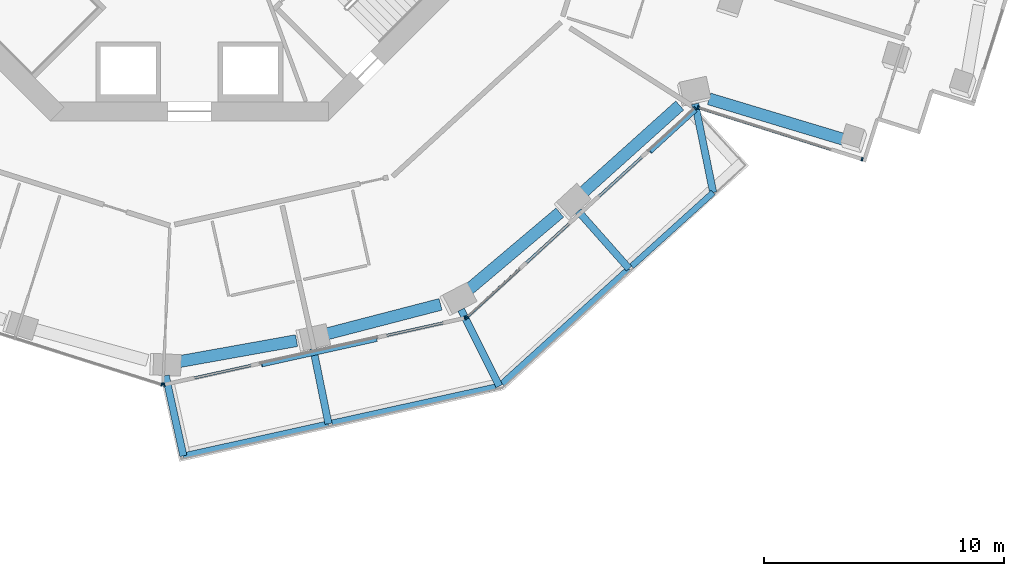
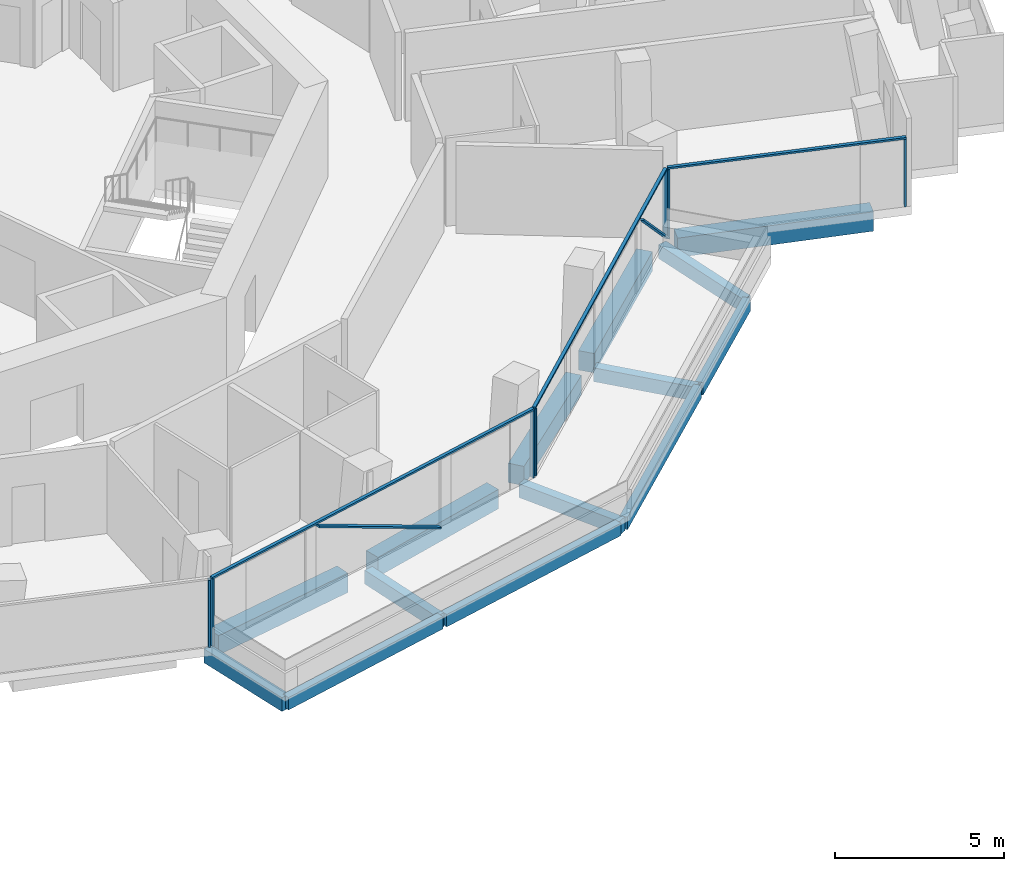
# One storey, part 5 of 24: 14 beams, 12 members, 4 elements without a shape of their own.
"""IFC4 building model written with IfcOpenShell, lengths in metres."""

from ifc_helpers import new_model, si_unit, direction, frame, origin, origin_2d, place, context, subcontext, project, spatial, rectangle, extrude, material, layer, layer_set, material_profile, profile_set, type_object, element, aggregate, save


model = new_model("IFC4")

# Units and contexts
model_context = context("Model", 3, precision=1e-05, world=origin(), true_north=direction((0.0, 1.0)))
body_context = subcontext(model_context, "Body", "Model", "MODEL_VIEW")
ifc_project = project(units=[si_unit("LENGTHUNIT", "METRE"), si_unit("AREAUNIT", "SQUARE_METRE"), si_unit("VOLUMEUNIT", "CUBIC_METRE"), si_unit("PLANEANGLEUNIT", "RADIAN"), si_unit("MASSUNIT", "GRAM", prefix="KILO")], contexts=[model_context])

# Site, building, storey
site_placement = place(None, origin())
site = spatial("IfcSite", under=ifc_project, at=site_placement, CompositionType="ELEMENT")
building_placement = place(site_placement, origin())
building = spatial("IfcBuilding", under=site, at=building_placement, Name="Verdalira Terraces Hotel", CompositionType="ELEMENT")
storey_placement = place(building_placement, frame((0.0, 0.0, 86.0)))
storey = spatial("IfcBuildingStorey", under=building, at=storey_placement, Name="L19", CompositionType="ELEMENT", Elevation=86.0)

# Beams
ifc_material_1 = material(Name="Concrete C40", Category="concrete")
ifc_material_profile_1 = material_profile(ifc_material_1, rectangle(XDim=0.300049, YDim=0.5, at=origin_2d()), Name="RC 300X500")
ifc_profile_set_1 = profile_set([ifc_material_profile_1], Name="Concrete C40")
beam_type_1 = type_object("IfcBeamType", Name="Balcony cantilever beam RC 300X500 C40", PredefinedType="BEAM", material=ifc_profile_set_1)
beam_1_placement = place(storey_placement, frame((-0.987793, -24.625, -0.560059), z_axis=(0.216176465, -0.976354309, 0.0), x_axis=(0.976354309, 0.216176465, 0.0)))
element("IfcBeam", 1, at=beam_1_placement, inside=storey, type_object=beam_type_1, Name="Balcony cantilever beam R26-1", PredefinedType="BEAM", context=body_context, shape_type="SweptSolid", body=[
    extrude(rectangle(XDim=0.300049, YDim=0.5, at=origin_2d()), origin(), (0.0, 0.0, 1.0), 3.428711),
])
beam_2_placement = place(storey_placement, frame((5.16748, -23.496582, -0.560059), z_axis=(0.199767229, -0.979843383, 0.0), x_axis=(0.979843383, 0.199767229, 0.0)))
element("IfcBeam", 2, at=beam_2_placement, inside=storey, type_object=beam_type_1, Name="Balcony cantilever beam R26-2", PredefinedType="BEAM", context=body_context, shape_type="SweptSolid", body=[
    extrude(rectangle(XDim=0.300049, YDim=0.5, at=origin_2d()), origin(), (0.0, 0.0, 1.0), 3.200684),
])
beam_3_placement = place(storey_placement, frame((11.342041, -21.877197, -0.560059), z_axis=(0.446527554, -0.894769883, 0.0), x_axis=(0.894769883, 0.446527554, 0.0)))
element("IfcBeam", 3, at=beam_3_placement, inside=storey, type_object=beam_type_1, Name="Balcony cantilever beam R26-3", PredefinedType="BEAM", context=body_context, shape_type="SweptSolid", body=[
    extrude(rectangle(XDim=0.300049, YDim=0.5, at=origin_2d()), origin(), (0.0, 0.0, 1.0), 3.559326),
])
beam_4_placement = place(storey_placement, frame((16.223633, -17.764893, -0.560059), z_axis=(0.662856919, -0.748746089, 0.0), x_axis=(0.748746089, 0.662856919, 0.0)))
element("IfcBeam", 4, at=beam_4_placement, inside=storey, type_object=beam_type_1, Name="Balcony cantilever beam R26-4", PredefinedType="BEAM", context=body_context, shape_type="SweptSolid", body=[
    extrude(rectangle(XDim=0.300049, YDim=0.5, at=origin_2d()), origin(), (0.0, 0.0, 1.0), 3.200684),
])
beam_5_placement = place(storey_placement, frame((21.102783, -13.287354, -0.560059), z_axis=(0.199735632, -0.979849824, 0.0), x_axis=(0.979849824, 0.199735632, 0.0)))
element("IfcBeam", 5, at=beam_5_placement, inside=storey, type_object=beam_type_1, Name="Balcony cantilever beam R26-5", PredefinedType="BEAM", context=body_context, shape_type="SweptSolid", body=[
    extrude(rectangle(XDim=0.300049, YDim=0.5, at=origin_2d()), origin(), (0.0, 0.0, 1.0), 3.773193),
])
ifc_material_2 = material(Name="Concrete C40", Category="concrete")
ifc_material_profile_2 = material_profile(ifc_material_2, rectangle(XDim=0.25, YDim=0.449951, at=origin_2d()), Name="RC 250X450")
ifc_profile_set_2 = profile_set([ifc_material_profile_2], Name="Concrete C40")
beam_type_2 = type_object("IfcBeamType", Name="Balcony edge beam RC 250X450 C40", PredefinedType="BEAM", material=ifc_profile_set_2)
beam_6_placement = place(storey_placement, frame((-0.246582, -27.972656, -0.534912), z_axis=(0.976370165, 0.216104838, 0.0), x_axis=(-0.216104838, 0.976370165, 0.0)))
element("IfcBeam", 6, at=beam_6_placement, inside=storey, type_object=beam_type_2, Name="Balcony edge beam R26-1", PredefinedType="BEAM", context=body_context, shape_type="SweptSolid", body=[
    extrude(rectangle(XDim=0.25, YDim=0.449951, at=origin_2d()), origin(), (0.0, 0.0, 1.0), 6.199951),
])
beam_7_placement = place(storey_placement, frame((5.953369, -26.600586, -0.534912), z_axis=(0.976540731, 0.215332766, 0.0), x_axis=(-0.215332766, 0.976540731, 0.0)))
element("IfcBeam", 7, at=beam_7_placement, inside=storey, type_object=beam_type_2, Name="Balcony edge beam R26-2", PredefinedType="BEAM", context=body_context, shape_type="SweptSolid", body=[
    extrude(rectangle(XDim=0.25, YDim=0.449951, at=origin_2d()), origin(), (0.0, 0.0, 1.0), 6.990967),
])
beam_8_placement = place(storey_placement, frame((13.046875, -24.95752, -0.534912), z_axis=(0.741368229, 0.671098464, 0.0), x_axis=(-0.671098464, 0.741368229, 0.0)))
element("IfcBeam", 8, at=beam_8_placement, inside=storey, type_object=beam_type_2, Name="Balcony edge beam R26-3", PredefinedType="BEAM", context=body_context, shape_type="SweptSolid", body=[
    extrude(rectangle(XDim=0.25, YDim=0.449951, at=origin_2d()), origin(), (0.0, 0.0, 1.0), 7.146729),
])
beam_9_placement = place(storey_placement, frame((18.456543, -20.060547, -0.534912), z_axis=(0.741554702, 0.670892409, 0.0), x_axis=(-0.670892409, 0.741554702, 0.0)))
element("IfcBeam", 9, at=beam_9_placement, inside=storey, type_object=beam_type_2, Name="Balcony edge beam R26-4", PredefinedType="BEAM", context=body_context, shape_type="SweptSolid", body=[
    extrude(rectangle(XDim=0.25, YDim=0.449951, at=origin_2d()), origin(), (0.0, 0.0, 1.0), 4.584717),
])

# Curtain wall, member
ifc_material_3 = material(Name="Clear glass", Category="glass")
ifc_layer_1 = layer(ifc_material_3, 0.14990234375)
ifc_layer_set_1 = layer_set([ifc_layer_1], Name="CW1 curtain wall")
curtain_wall_type_1 = type_object("IfcCurtainWallType", Name="CW1 curtain wall", PredefinedType="NOTDEFINED", material=ifc_layer_set_1)
curtain_wall_1_placement = place(storey_placement, origin())
curtain_wall_1 = element("IfcCurtainWall", 10, at=curtain_wall_1_placement, inside=storey, type_object=curtain_wall_type_1, Name="CW1 curtain wall L19 edge 25", PredefinedType="NOTDEFINED")
ifc_material_4 = material(Name="Terracotta frame", Category="masonry")
ifc_material_profile_3 = material_profile(ifc_material_4, rectangle(XDim=0.060059, YDim=0.149902, at=origin_2d()), Name="MU 60x150")
ifc_profile_set_3 = profile_set([ifc_material_profile_3], Name="Terracotta frame")
member_type_1 = type_object("IfcMemberType", Name="CW1 mullion 60x150", PredefinedType="MULLION", material=ifc_profile_set_3)
member_1_placement = place(storey_placement, frame((-1.148682, -24.99707, 0.0), z_axis=(0.0, 0.0, 1.0), x_axis=(0.953611927, -0.301038691, 0.0)))
member_1 = element("IfcMember", 11, at=member_1_placement, type_object=member_type_1, Name="CW1 mullion", PredefinedType="MULLION", context=body_context, shape_type="SweptSolid", body=[
    extrude(rectangle(XDim=0.060059, YDim=0.149902, at=origin_2d()), origin(), (0.0, 0.0, 1.0), 2.425049),
])
aggregate(curtain_wall_1, [member_1])

# Curtain wall, members
curtain_wall_2_placement = place(storey_placement, origin())
curtain_wall_2 = element("IfcCurtainWall", 12, at=curtain_wall_2_placement, inside=storey, type_object=curtain_wall_type_1, Name="CW1 curtain wall L19 edge 26", PredefinedType="NOTDEFINED")
member_2_placement = place(storey_placement, frame((-1.052002, -25.001465, 0.0), z_axis=(0.0, 0.0, 1.0), x_axis=(0.976371499, 0.216098809, 0.0)))
member_2 = element("IfcMember", 13, at=member_2_placement, type_object=member_type_1, Name="CW1 mullion", PredefinedType="MULLION", context=body_context, shape_type="SweptSolid", body=[
    extrude(rectangle(XDim=0.060059, YDim=0.149902, at=origin_2d()), origin(), (0.0, 0.0, 1.0), 2.425049),
])
member_3_placement = place(storey_placement, frame((11.503906, -22.222412, 0.0), z_axis=(0.0, 0.0, 1.0), x_axis=(0.976371499, 0.216098809, 0.0)))
member_3 = element("IfcMember", 14, at=member_3_placement, type_object=member_type_1, Name="CW1 mullion", PredefinedType="MULLION", context=body_context, shape_type="SweptSolid", body=[
    extrude(rectangle(XDim=0.060059, YDim=0.149902, at=origin_2d()), origin(), (0.0, 0.0, 1.0), 2.425049),
])

curtain_wall_3_placement = place(storey_placement, origin())
curtain_wall_3 = element("IfcCurtainWall", 15, at=curtain_wall_3_placement, inside=storey, type_object=curtain_wall_type_1, Name="CW1 curtain wall L19 edge 27", PredefinedType="NOTDEFINED")
member_4_placement = place(storey_placement, frame((11.589844, -22.177734, 0.0), z_axis=(0.0, 0.0, 1.0), x_axis=(0.737513117, 0.675332808, 0.0)))
member_4 = element("IfcMember", 16, at=member_4_placement, type_object=member_type_1, Name="CW1 mullion", PredefinedType="MULLION", context=body_context, shape_type="SweptSolid", body=[
    extrude(rectangle(XDim=0.060059, YDim=0.149902, at=origin_2d()), origin(), (0.0, 0.0, 1.0), 2.425049),
])
member_5_placement = place(storey_placement, frame((21.103516, -13.466064, 0.0), z_axis=(0.0, 0.0, 1.0), x_axis=(0.737513117, 0.675332808, 0.0)))
member_5 = element("IfcMember", 17, at=member_5_placement, type_object=member_type_1, Name="CW1 mullion", PredefinedType="MULLION", context=body_context, shape_type="SweptSolid", body=[
    extrude(rectangle(XDim=0.060059, YDim=0.149902, at=origin_2d()), origin(), (0.0, 0.0, 1.0), 2.425049),
])

# Member
ifc_material_5 = material(Name="Terracotta frame", Category="masonry")
ifc_material_profile_4 = material_profile(ifc_material_5, rectangle(XDim=0.110107, YDim=0.064941, at=origin_2d()), Name="TR 65x110")
ifc_profile_set_4 = profile_set([ifc_material_profile_4], Name="Terracotta frame")
member_type_2 = type_object("IfcMemberType", Name="CW1 transom 65x110", PredefinedType="USERDEFINED", material=ifc_profile_set_4)
member_6_placement = place(storey_placement, frame((-1.081299, -25.007812, 2.45752), z_axis=(0.976374771, 0.216084025, 0.0), x_axis=(-0.216084025, 0.976374771, 0.0)))
member_6 = element("IfcMember", 18, at=member_6_placement, type_object=member_type_2, Name="CW1 transom", ObjectType="TRANSOM", PredefinedType="USERDEFINED", context=body_context, shape_type="SweptSolid", body=[
    extrude(rectangle(XDim=0.110107, YDim=0.064941, at=origin_2d()), origin(), (0.0, 0.0, 1.0), 12.919678),
])

member_7_placement = place(storey_placement, frame((11.567627, -22.197998, 2.45752), z_axis=(0.737515302, 0.675330423, 0.0), x_axis=(-0.675330423, 0.737515302, 0.0)))
member_7 = element("IfcMember", 19, at=member_7_placement, type_object=member_type_2, Name="CW1 transom", ObjectType="TRANSOM", PredefinedType="USERDEFINED", context=body_context, shape_type="SweptSolid", body=[
    extrude(rectangle(XDim=0.110107, YDim=0.064941, at=origin_2d()), origin(), (0.0, 0.0, 1.0), 12.959961),
])

# Curtain wall, members
ifc_material_6 = material(Name="Clear glass", Category="glass")
ifc_layer_2 = layer(ifc_material_6, 0.14990234375)
ifc_layer_set_2 = layer_set([ifc_layer_2], Name="CW2 curtain wall")
curtain_wall_type_2 = type_object("IfcCurtainWallType", Name="CW2 curtain wall", PredefinedType="NOTDEFINED", material=ifc_layer_set_2)
curtain_wall_4_placement = place(storey_placement, origin())
curtain_wall_4 = element("IfcCurtainWall", 20, at=curtain_wall_4_placement, inside=storey, type_object=curtain_wall_type_2, Name="CW2 curtain wall L19 edge 28", PredefinedType="NOTDEFINED")
ifc_material_7 = material(Name="Terracotta frame", Category="masonry")
ifc_material_profile_5 = material_profile(ifc_material_7, rectangle(XDim=0.070068, YDim=0.149902, at=origin_2d()), Name="MU 70x150")
ifc_profile_set_5 = profile_set([ifc_material_profile_5], Name="Terracotta frame")
member_type_3 = type_object("IfcMemberType", Name="CW2 mullion 70x150", PredefinedType="MULLION", material=ifc_profile_set_5)
member_8_placement = place(storey_placement, frame((21.232178, -13.440186, 0.0), z_axis=(0.0, 0.0, 1.0), x_axis=(0.953611927, -0.301038691, 0.0)))
member_8 = element("IfcMember", 21, at=member_8_placement, type_object=member_type_3, Name="CW2 mullion", PredefinedType="MULLION", context=body_context, shape_type="SweptSolid", body=[
    extrude(rectangle(XDim=0.070068, YDim=0.149902, at=origin_2d()), origin(), (0.0, 0.0, 1.0), 2.425049),
])
member_9_placement = place(storey_placement, frame((28.068359, -15.598145, 0.0), z_axis=(0.0, 0.0, 1.0), x_axis=(0.953611927, -0.301038691, 0.0)))
member_9 = element("IfcMember", 22, at=member_9_placement, type_object=member_type_3, Name="CW2 mullion", PredefinedType="MULLION", context=body_context, shape_type="SweptSolid", body=[
    extrude(rectangle(XDim=0.070068, YDim=0.149902, at=origin_2d()), origin(), (0.0, 0.0, 1.0), 2.425049),
])
ifc_material_8 = material(Name="Terracotta frame", Category="masonry")
ifc_material_profile_6 = material_profile(ifc_material_8, rectangle(XDim=0.11499, YDim=0.064941, at=origin_2d()), Name="TR 65x115")
ifc_profile_set_6 = profile_set([ifc_material_profile_6], Name="Terracotta frame")
member_type_4 = type_object("IfcMemberType", Name="CW2 transom 65x115", PredefinedType="USERDEFINED", material=ifc_profile_set_6)
member_10_placement = place(storey_placement, frame((21.198975, -13.429688, 2.45752), z_axis=(0.953608148, -0.301050659, 0.0), x_axis=(0.301050659, 0.953608148, 0.0)))
member_10 = element("IfcMember", 23, at=member_10_placement, type_object=member_type_4, Name="CW2 transom", ObjectType="TRANSOM", PredefinedType="USERDEFINED", context=body_context, shape_type="SweptSolid", body=[
    extrude(rectangle(XDim=0.11499, YDim=0.064941, at=origin_2d()), origin(), (0.0, 0.0, 1.0), 7.238525),
])
aggregate(curtain_wall_4, [member_8, member_9, member_10])

# Member
ifc_material_9 = material(Name="Terracotta frame", Category="masonry")
ifc_material_profile_7 = material_profile(ifc_material_9, rectangle(XDim=0.149902, YDim=0.060059, at=origin_2d()), Name="GB 60x150")
ifc_profile_set_7 = profile_set([ifc_material_profile_7], Name="Terracotta frame")
member_type_5 = type_object("IfcMemberType", Name="Diagonal glazing bar 60x150", PredefinedType="USERDEFINED", material=ifc_profile_set_7)
member_11_placement = place(storey_placement, frame((3.024658, -24.190186, 2.397217), z_axis=(0.879217175, 0.194565056, -0.434881131), x_axis=(-0.216066272, 0.9763787, 0.0)))
member_11 = element("IfcMember", 24, at=member_11_placement, type_object=member_type_5, Name="Diagonal glazing bar", ObjectType="GLAZING BAR", PredefinedType="USERDEFINED", context=body_context, shape_type="SweptSolid", body=[
    extrude(rectangle(XDim=0.149902, YDim=0.060059, at=origin_2d()), origin(), (0.0, 0.0, 1.0), 5.448242),
])

aggregate(curtain_wall_2, [member_2, member_3, member_6, member_11])

member_12_placement = place(storey_placement, frame((19.239014, -15.293945, 2.401611), z_axis=(0.539812027, 0.494273913, -0.681392893), x_axis=(-0.675313382, 0.737530905, 0.0)))
member_12 = element("IfcMember", 25, at=member_12_placement, type_object=member_type_5, Name="Diagonal glazing bar", ObjectType="GLAZING BAR", PredefinedType="USERDEFINED", context=body_context, shape_type="SweptSolid", body=[
    extrude(rectangle(XDim=0.149902, YDim=0.060059, at=origin_2d()), origin(), (0.0, 0.0, 1.0), 3.490234),
])

aggregate(curtain_wall_3, [member_4, member_5, member_7, member_12])

# Beams
ifc_material_10 = material(Name="Concrete C70", Category="concrete")
ifc_material_profile_8 = material_profile(ifc_material_10, rectangle(XDim=0.5, YDim=0.699951, at=origin_2d()), Name="RC 500X700")
ifc_profile_set_8 = profile_set([ifc_material_profile_8], Name="Concrete C70")
beam_type_3 = type_object("IfcBeamType", Name="Spandrel beam RC 500X700 C70", PredefinedType="SPANDREL", material=ifc_profile_set_8)
beam_10_placement = place(storey_placement, frame((-0.462646, -24.049316, -0.659912), z_axis=(0.984318483, 0.176400464, 0.0), x_axis=(-0.176400464, 0.984318483, 0.0)))
element("IfcBeam", 26, at=beam_10_placement, inside=storey, type_object=beam_type_3, Name="Spandrel beam B17", PredefinedType="SPANDREL", context=body_context, shape_type="SweptSolid", body=[
    extrude(rectangle(XDim=0.5, YDim=0.699951, at=origin_2d()), origin(), (0.0, 0.0, 1.0), 5.015625),
])
beam_11_placement = place(storey_placement, frame((5.629395, -22.911133, -0.659912), z_axis=(0.967937707, 0.251190356, 0.0), x_axis=(-0.251190356, 0.967937707, 0.0)))
element("IfcBeam", 27, at=beam_11_placement, inside=storey, type_object=beam_type_3, Name="Spandrel beam B18", PredefinedType="SPANDREL", context=body_context, shape_type="SweptSolid", body=[
    extrude(rectangle(XDim=0.5, YDim=0.699951, at=origin_2d()), origin(), (0.0, 0.0, 1.0), 5.012207),
])
beam_12_placement = place(storey_placement, frame((11.623779, -21.058594, -0.659912), z_axis=(0.764280988, 0.644883378, 0.0), x_axis=(-0.644883378, 0.764280988, 0.0)))
element("IfcBeam", 28, at=beam_12_placement, inside=storey, type_object=beam_type_3, Name="Spandrel beam B19", PredefinedType="SPANDREL", context=body_context, shape_type="SweptSolid", body=[
    extrude(rectangle(XDim=0.5, YDim=0.699951, at=origin_2d()), origin(), (0.0, 0.0, 1.0), 5.015869),
])
beam_13_placement = place(storey_placement, frame((16.334717, -17.060059, -0.659912), z_axis=(0.74389592, 0.668295488, 0.0), x_axis=(-0.668295488, 0.74389592, 0.0)))
element("IfcBeam", 29, at=beam_13_placement, inside=storey, type_object=beam_type_3, Name="Spandrel beam B20", PredefinedType="SPANDREL", context=body_context, shape_type="SweptSolid", body=[
    extrude(rectangle(XDim=0.5, YDim=0.699951, at=origin_2d()), origin(), (0.0, 0.0, 1.0), 5.544922),
])
beam_14_placement = place(storey_placement, frame((21.686768, -13.078613, -0.659912), z_axis=(0.957491972, -0.288459918, 0.0), x_axis=(0.288459918, 0.957491972, 0.0)))
element("IfcBeam", 30, at=beam_14_placement, inside=storey, type_object=beam_type_3, Name="Spandrel beam B21", PredefinedType="SPANDREL", context=body_context, shape_type="SweptSolid", body=[
    extrude(rectangle(XDim=0.5, YDim=0.699951, at=origin_2d()), origin(), (0.0, 0.0, 1.0), 5.960938),
])

save(model, "model.ifc")
